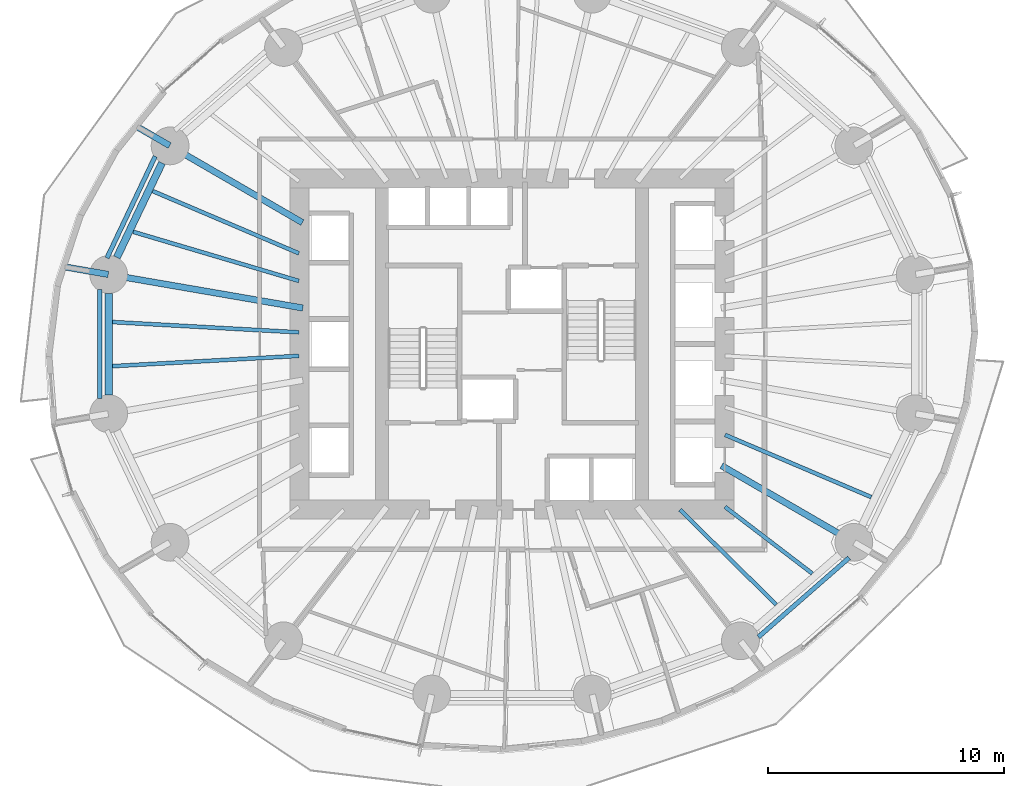
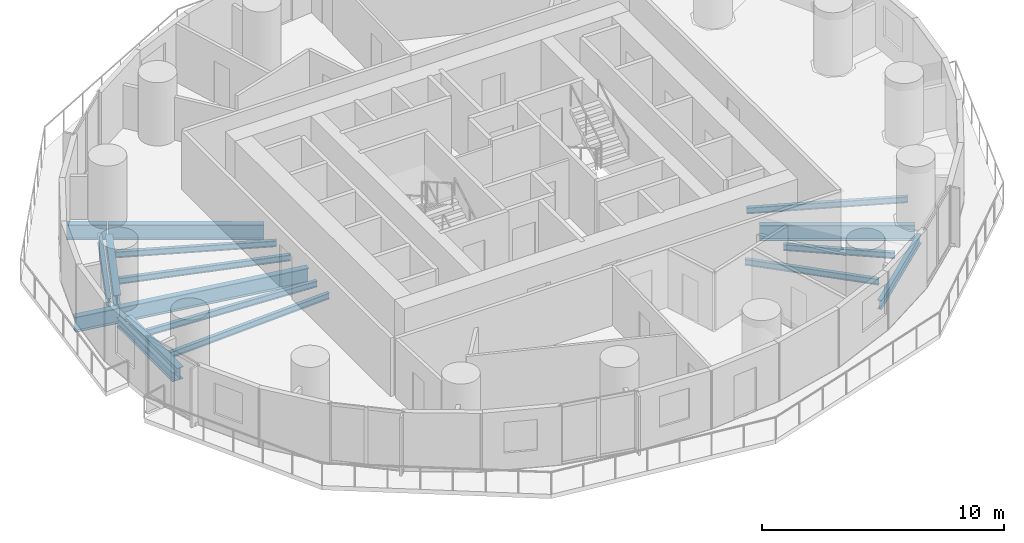
# One storey, part 3 of 13: 17 beams.
"""IFC4 building model written with IfcOpenShell, lengths in metres."""

from ifc_helpers import new_model, si_unit, direction, frame, origin, origin_2d, place, context, subcontext, project, spatial, i_section, extrude, material, material_profile, profile_set, type_object, element, save


model = new_model("IFC4")

# Units and contexts
model_context = context("Model", 3, precision=1e-05, world=origin(), true_north=direction((0.0, 1.0)))
body_context = subcontext(model_context, "Body", "Model", "MODEL_VIEW")
ifc_project = project(units=[si_unit("LENGTHUNIT", "METRE"), si_unit("AREAUNIT", "SQUARE_METRE"), si_unit("VOLUMEUNIT", "CUBIC_METRE"), si_unit("PLANEANGLEUNIT", "RADIAN"), si_unit("MASSUNIT", "GRAM", prefix="KILO")], contexts=[model_context])

# Site, building, storey
site_placement = place(None, origin())
site = spatial("IfcSite", under=ifc_project, at=site_placement, CompositionType="ELEMENT")
building_placement = place(site_placement, origin())
building = spatial("IfcBuilding", under=site, at=building_placement, Name="Veldorim Arch Residences", CompositionType="ELEMENT")
storey_placement = place(building_placement, frame((0.0, 0.0, 44.0)))
storey = spatial("IfcBuildingStorey", under=building, at=storey_placement, Name="L12", CompositionType="ELEMENT", Elevation=44.0)

# Beams
ifc_material_1 = material(Name="Steel S355", Category="steel")
ifc_material_profile_1 = material_profile(ifc_material_1, i_section(OverallWidth=0.30712890625, OverallDepth=0.6201171875, WebThickness=0.01416015625, FlangeThickness=0.023681640625, at=origin_2d()), Name="UB610x305x179")
ifc_profile_set_1 = profile_set([ifc_material_profile_1], Name="Steel S355")
beam_type_1 = type_object("IfcBeamType", Name="Structural Steel Beam UB610x305x179", PredefinedType="BEAM", material=ifc_profile_set_1)
beam_1_placement = place(storey_placement, frame((17.187744140625, 31.6669921875, -0.550048828125), z_axis=(-0.430786696724, -0.902453778276, 0.0), x_axis=(0.902453778276, -0.430786696724, 0.0)))
element("IfcBeam", 1, at=beam_1_placement, inside=storey, type_object=beam_type_1, Name="L12 perimeter ring tie beam 07", PredefinedType="BEAM", context=body_context, shape_type="SweptSolid", body=[
    extrude(i_section(OverallWidth=0.30712890625, OverallDepth=0.6201171875, WebThickness=0.01416015625, FlangeThickness=0.023681640625, at=origin_2d()), origin(), (0.0, 0.0, 1.0), 4.431396484375),
])
beam_2_placement = place(storey_placement, frame((14.934326171875, 26.14599609375, -0.550048828125), z_axis=(0.0, -1.0, 0.0), x_axis=(1.0, 0.0, 0.0)))
element("IfcBeam", 2, at=beam_2_placement, inside=storey, type_object=beam_type_1, Name="L12 perimeter ring tie beam 08", PredefinedType="BEAM", context=body_context, shape_type="SweptSolid", body=[
    extrude(i_section(OverallWidth=0.30712890625, OverallDepth=0.6201171875, WebThickness=0.01416015625, FlangeThickness=0.023681640625, at=origin_2d()), origin(), (0.0, 0.0, 1.0), 4.2919921875),
])
ifc_material_2 = material(Name="Steel S355", Category="steel")
ifc_material_profile_2 = material_profile(ifc_material_2, i_section(OverallWidth=0.26806640625, OverallDepth=0.769775390625, WebThickness=0.015625, FlangeThickness=0.025390625, at=origin_2d()), Name="UB762x267x197")
ifc_profile_set_2 = profile_set([ifc_material_profile_2], Name="Steel S355")
beam_type_2 = type_object("IfcBeamType", Name="Structural Steel GIRDER UB762x267x197", PredefinedType="USERDEFINED", material=ifc_profile_set_2)
beam_3_placement = place(storey_placement, frame((23.1298828125, 29.1435546875, -0.625), z_axis=(-0.865088348752, 0.501619525989, 0.0), x_axis=(-0.501619525989, -0.865088348752, 0.0)))
element("IfcBeam", 3, at=beam_3_placement, inside=storey, type_object=beam_type_2, Name="L12 radial floor girder 07", ObjectType="GIRDER", PredefinedType="USERDEFINED", context=body_context, shape_type="SweptSolid", body=[
    extrude(i_section(OverallWidth=0.26806640625, OverallDepth=0.769775390625, WebThickness=0.015625, FlangeThickness=0.025390625, at=origin_2d()), origin(), (0.0, 0.0, 1.0), 6.4501953125),
])
beam_4_placement = place(storey_placement, frame((17.51513671875, 32.399169921875, -0.625), z_axis=(-0.865102284846, 0.501595491163, 0.0), x_axis=(-0.501595491163, -0.865102284846, 0.0)))
element("IfcBeam", 4, at=beam_4_placement, inside=storey, type_object=beam_type_2, Name="L12 radial edge cantilever girder 07", ObjectType="GIRDER", PredefinedType="USERDEFINED", context=body_context, shape_type="SweptSolid", body=[
    extrude(i_section(OverallWidth=0.26806640625, OverallDepth=0.769775390625, WebThickness=0.015625, FlangeThickness=0.025390625, at=origin_2d()), origin(), (0.0, 0.0, 1.0), 1.6689453125),
])
beam_5_placement = place(storey_placement, frame((23.147705078125, 25.528076171875, -0.625), z_axis=(-0.985427548249, 0.170095699979, 0.0), x_axis=(-0.170095699979, -0.985427548249, 0.0)))
element("IfcBeam", 5, at=beam_5_placement, inside=storey, type_object=beam_type_2, Name="L12 radial floor girder 08", ObjectType="GIRDER", PredefinedType="USERDEFINED", context=body_context, shape_type="SweptSolid", body=[
    extrude(i_section(OverallWidth=0.26806640625, OverallDepth=0.769775390625, WebThickness=0.015625, FlangeThickness=0.025390625, at=origin_2d()), origin(), (0.0, 0.0, 1.0), 8.314697265625),
])
beam_6_placement = place(storey_placement, frame((14.91455078125, 26.94921875, -0.625), z_axis=(-0.985423095697, 0.170121493252, 0.0), x_axis=(-0.170121493252, -0.985423095697, 0.0)))
element("IfcBeam", 6, at=beam_6_placement, inside=storey, type_object=beam_type_2, Name="L12 radial edge cantilever girder 08", ObjectType="GIRDER", PredefinedType="USERDEFINED", context=body_context, shape_type="SweptSolid", body=[
    extrude(i_section(OverallWidth=0.26806640625, OverallDepth=0.769775390625, WebThickness=0.015625, FlangeThickness=0.025390625, at=origin_2d()), origin(), (0.0, 0.0, 1.0), 1.943115234375),
])
beam_7_placement = place(storey_placement, frame((40.8701171875, 18.8564453125, -0.625), z_axis=(0.865088348752, -0.501619525989, 0.0), x_axis=(0.501619525989, 0.865088348752, 0.0)))
element("IfcBeam", 7, at=beam_7_placement, inside=storey, type_object=beam_type_2, Name="L12 radial floor girder 15", ObjectType="GIRDER", PredefinedType="USERDEFINED", context=body_context, shape_type="SweptSolid", body=[
    extrude(i_section(OverallWidth=0.26806640625, OverallDepth=0.769775390625, WebThickness=0.015625, FlangeThickness=0.025390625, at=origin_2d()), origin(), (0.0, 0.0, 1.0), 6.4501953125),
])
ifc_material_3 = material(Name="Steel S355", Category="steel")
ifc_material_profile_3 = material_profile(ifc_material_3, i_section(OverallWidth=0.165771484375, OverallDepth=0.306640625, WebThickness=0.006591796875, FlangeThickness=0.01171875, at=origin_2d()), Name="UB305x165x46")
ifc_profile_set_3 = profile_set([ifc_material_profile_3], Name="Steel S355")
beam_type_3 = type_object("IfcBeamType", Name="Structural Steel Joist UB305x165x46", PredefinedType="JOIST", material=ifc_profile_set_3)
beam_8_placement = place(storey_placement, frame((22.981689453125, 27.84130859375, -0.393310546875), z_axis=(-0.920032948668, 0.391841005213, 0.0), x_axis=(-0.391841005213, -0.920032948668, 0.0)))
element("IfcBeam", 8, at=beam_8_placement, inside=storey, type_object=beam_type_3, Name="L12 secondary radial floor joist 07-1", PredefinedType="JOIST", context=body_context, shape_type="SweptSolid", body=[
    extrude(i_section(OverallWidth=0.165771484375, OverallDepth=0.306640625, WebThickness=0.006591796875, FlangeThickness=0.01171875, at=origin_2d()), origin(), (0.0, 0.0, 1.0), 6.723388671875),
])
beam_9_placement = place(storey_placement, frame((22.980712890625, 26.67333984375, -0.393310546875), z_axis=(-0.958766778771, 0.284194060325, 0.0), x_axis=(-0.284194060325, -0.958766778771, 0.0)))
element("IfcBeam", 9, at=beam_9_placement, inside=storey, type_object=beam_type_3, Name="L12 secondary radial floor joist 07-2", PredefinedType="JOIST", context=body_context, shape_type="SweptSolid", body=[
    extrude(i_section(OverallWidth=0.165771484375, OverallDepth=0.306640625, WebThickness=0.006591796875, FlangeThickness=0.01171875, at=origin_2d()), origin(), (0.0, 0.0, 1.0), 7.3115234375),
])
for number, where, z_axis, x_axis, name in (
    (10, (22.97998046875, 24.498291015625, -0.393310546875), (-0.998478371109, 0.055144740699, 0.0), (-0.055144740699, -0.998478371109, 0.0), "L12 secondary radial floor joist 08-1"),
    (11, (22.97998046875, 23.501708984375, -0.393310546875), (-0.998478371109, -0.055144740699, 0.0), (0.055144740699, -0.998478371109, 0.0), "L12 secondary radial floor joist 08-2"),
):
    element("IfcBeam", number, at=place(storey_placement, frame(where, z_axis=z_axis, x_axis=x_axis)), inside=storey, type_object=beam_type_3, Name=name, PredefinedType="JOIST", context=body_context, shape_type="SweptSolid", body=[
        extrude(i_section(OverallWidth=0.165771484375, OverallDepth=0.306640625, WebThickness=0.006591796875, FlangeThickness=0.01171875, at=origin_2d()), origin(), (0.0, 0.0, 1.0), 7.898193359375),
    ])
beam_10_placement = place(storey_placement, frame((39.114990234375, 16.986083984375, -0.393310546875), z_axis=(0.712129078446, -0.702048556463, 0.0), x_axis=(0.702048556463, 0.712129078446, 0.0)))
element("IfcBeam", 12, at=beam_10_placement, inside=storey, type_object=beam_type_3, Name="L12 secondary radial floor joist 14-1", PredefinedType="JOIST", context=body_context, shape_type="SweptSolid", body=[
    extrude(i_section(OverallWidth=0.165771484375, OverallDepth=0.306640625, WebThickness=0.006591796875, FlangeThickness=0.01171875, at=origin_2d()), origin(), (0.0, 0.0, 1.0), 5.715576171875),
])
beam_11_placement = place(storey_placement, frame((41.015869140625, 17.1123046875, -0.393310546875), z_axis=(0.794666431166, -0.607046343517, 0.0), x_axis=(0.607046343517, 0.794666431166, 0.0)))
element("IfcBeam", 13, at=beam_11_placement, inside=storey, type_object=beam_type_3, Name="L12 secondary radial floor joist 14-2", PredefinedType="JOIST", context=body_context, shape_type="SweptSolid", body=[
    extrude(i_section(OverallWidth=0.165771484375, OverallDepth=0.306640625, WebThickness=0.006591796875, FlangeThickness=0.01171875, at=origin_2d()), origin(), (0.0, 0.0, 1.0), 4.646728515625),
])
beam_12_placement = place(storey_placement, frame((41.018310546875, 20.15869140625, -0.393310546875), z_axis=(0.920032948668, -0.391841005213, 0.0), x_axis=(0.391841005213, 0.920032948668, 0.0)))
element("IfcBeam", 14, at=beam_12_placement, inside=storey, type_object=beam_type_3, Name="L12 secondary radial floor joist 15-1", PredefinedType="JOIST", context=body_context, shape_type="SweptSolid", body=[
    extrude(i_section(OverallWidth=0.165771484375, OverallDepth=0.306640625, WebThickness=0.006591796875, FlangeThickness=0.01171875, at=origin_2d()), origin(), (0.0, 0.0, 1.0), 6.723388671875),
])
ifc_material_4 = material(Name="Steel S355", Category="steel")
ifc_material_profile_4 = material_profile(ifc_material_4, i_section(OverallWidth=0.19140625, OverallDepth=0.4599609375, WebThickness=0.010009765625, FlangeThickness=0.01611328125, at=origin_2d()), Name="UB457x191x82")
ifc_profile_set_4 = profile_set([ifc_material_profile_4], Name="Steel S355")
beam_type_4 = type_object("IfcBeamType", Name="Structural Steel Spandrel UB457x191x82", PredefinedType="SPANDREL", material=ifc_profile_set_4)
beam_13_placement = place(storey_placement, frame((16.90185546875, 31.943603515625, -0.489990234375), z_axis=(-0.42886940858, -0.903366498374, 0.0), x_axis=(0.903366498374, -0.42886940858, 0.0)))
element("IfcBeam", 15, at=beam_13_placement, inside=storey, type_object=beam_type_4, Name="L12 perimeter chord spandrel beam 07", PredefinedType="SPANDREL", context=body_context, shape_type="SweptSolid", body=[
    extrude(i_section(OverallWidth=0.19140625, OverallDepth=0.4599609375, WebThickness=0.010009765625, FlangeThickness=0.01611328125, at=origin_2d()), origin(), (0.0, 0.0, 1.0), 4.7568359375),
])
beam_14_placement = place(storey_placement, frame((14.559814453125, 26.306396484375, -0.489990234375), z_axis=(0.0, -1.0, 0.0), x_axis=(1.0, 0.0, 0.0)))
element("IfcBeam", 16, at=beam_14_placement, inside=storey, type_object=beam_type_4, Name="L12 perimeter chord spandrel beam 08", PredefinedType="SPANDREL", context=body_context, shape_type="SweptSolid", body=[
    extrude(i_section(OverallWidth=0.19140625, OverallDepth=0.4599609375, WebThickness=0.010009765625, FlangeThickness=0.01611328125, at=origin_2d()), origin(), (0.0, 0.0, 1.0), 4.61279296875),
])
beam_15_placement = place(storey_placement, frame((42.428955078125, 11.606689453125, -0.489990234375), z_axis=(0.753250231024, 0.65773405679, 0.0), x_axis=(-0.65773405679, 0.753250231024, 0.0)))
element("IfcBeam", 17, at=beam_15_placement, inside=storey, type_object=beam_type_4, Name="L12 perimeter chord spandrel beam 14", PredefinedType="SPANDREL", context=body_context, shape_type="SweptSolid", body=[
    extrude(i_section(OverallWidth=0.19140625, OverallDepth=0.4599609375, WebThickness=0.010009765625, FlangeThickness=0.01611328125, at=origin_2d()), origin(), (0.0, 0.0, 1.0), 5.09423828125),
])

save(model, "model.ifc")
